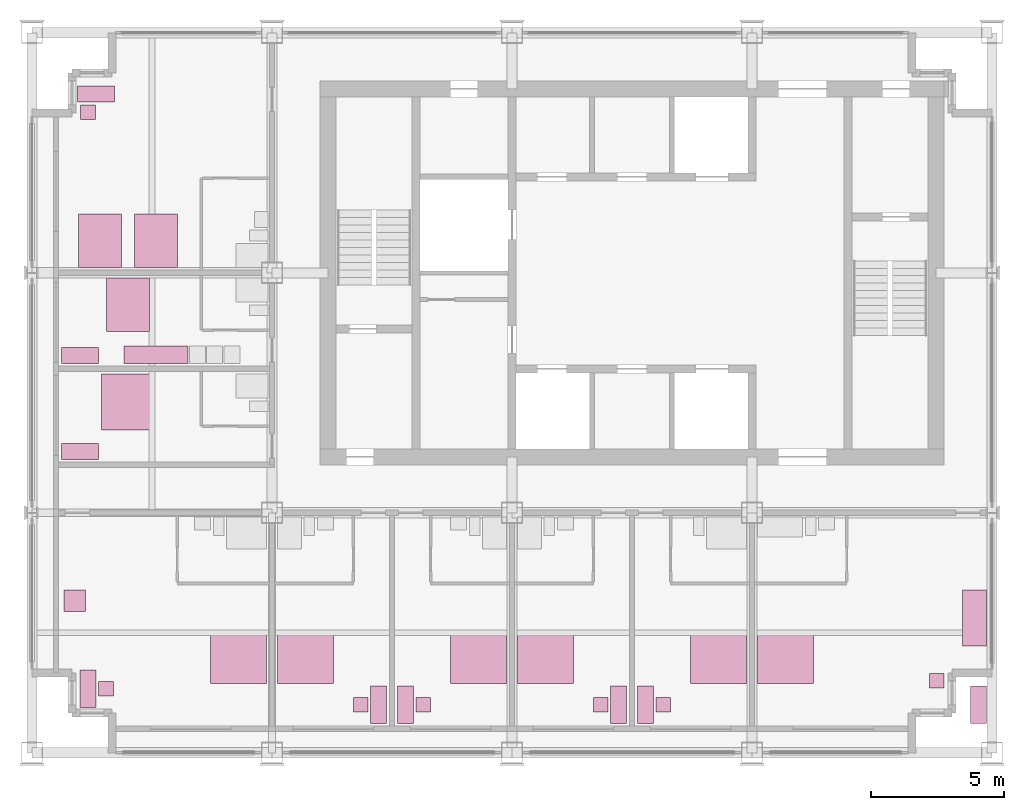
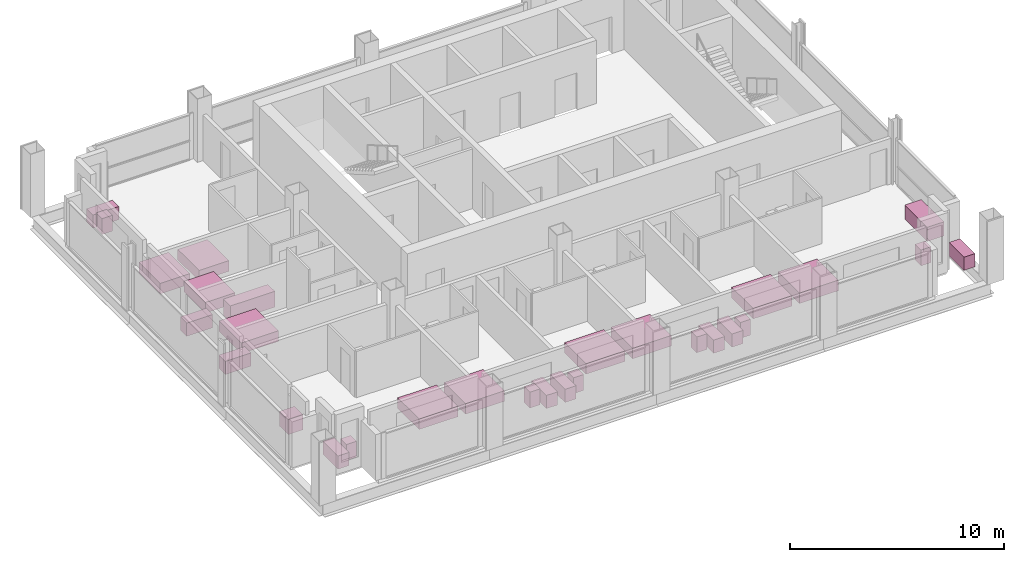
# One storey, part 12 of 12: 29 furniture elements.
"""IFC4 building model written with IfcOpenShell, lengths in metres."""

from ifc_helpers import new_model, si_unit, direction, frame, origin, origin_2d, place, context, subcontext, project, spatial, rectangle, extrude, element, save


model = new_model("IFC4")

# Units and contexts
model_context = context("Model", 3, precision=1e-05, world=origin(), true_north=direction((0.0, 1.0)))
body_context = subcontext(model_context, "Body", "Model", "MODEL_VIEW")
ifc_project = project(units=[si_unit("LENGTHUNIT", "METRE"), si_unit("AREAUNIT", "SQUARE_METRE"), si_unit("VOLUMEUNIT", "CUBIC_METRE"), si_unit("PLANEANGLEUNIT", "RADIAN"), si_unit("MASSUNIT", "GRAM", prefix="KILO")], contexts=[model_context])

# Site, building, storey
site_placement = place(None, origin())
site = spatial("IfcSite", under=ifc_project, at=site_placement, CompositionType="ELEMENT")
building_placement = place(site_placement, origin())
building = spatial("IfcBuilding", under=site, at=building_placement, Name="Loomwork Tower", CompositionType="ELEMENT")
storey_placement = place(building_placement, frame((0.0, 0.0, 259.0)))
storey = spatial("IfcBuildingStorey", under=building, at=storey_placement, Name="L71", CompositionType="ELEMENT", Elevation=259.0)

# Furniture
furniture_1_placement = place(storey_placement, frame((7.75, 3.60009765625, 0.0), z_axis=(0.0, 0.0, 1.0), x_axis=(1.0, 0.0, 0.0)))
element("IfcFurniture", 1, at=furniture_1_placement, inside=storey, Name="King bed L71", PredefinedType="BED", context=body_context, shape_type="SweptSolid", body=[
    extrude(rectangle(XDim=2.10009765625, YDim=2.0, at=origin_2d()), origin(), (0.0, 0.0, 1.0), 0.60009765625),
])
furniture_2_placement = place(storey_placement, frame((2.10009765625, 2.39990234375, 0.0), z_axis=(0.0, 0.0, 1.0), x_axis=(1.0, 0.0, 0.0)))
element("IfcFurniture", 2, at=furniture_2_placement, inside=storey, Name="Writing desk L71", PredefinedType="DESK", context=body_context, shape_type="SweptSolid", body=[
    extrude(rectangle(XDim=0.60009765625, YDim=1.39990234375, at=origin_2d()), origin(), (0.0, 0.0, 1.0), 0.75),
])
furniture_3_placement = place(storey_placement, frame((2.77490234375, 2.39990234375, 0.0), z_axis=(0.0, 0.0, 1.0), x_axis=(1.0, 0.0, 0.0)))
element("IfcFurniture", 3, at=furniture_3_placement, inside=storey, Name="Desk chair L71", PredefinedType="CHAIR", context=body_context, shape_type="SweptSolid", body=[
    extrude(rectangle(XDim=0.550048828125, YDim=0.550048828125, at=origin_2d()), origin(), (0.0, 0.0, 1.0), 0.89990234375),
])
furniture_4_placement = place(storey_placement, frame((1.60009765625, 5.699951171875, 0.0), z_axis=(0.0, 0.0, 1.0), x_axis=(1.0, 0.0, 0.0)))
element("IfcFurniture", 4, at=furniture_4_placement, inside=storey, Name="Lounge armchair L71", PredefinedType="CHAIR", context=body_context, shape_type="SweptSolid", body=[
    extrude(rectangle(XDim=0.800048828125, YDim=0.800048828125, at=origin_2d()), origin(), (0.0, 0.0, 1.0), 0.85009765625),
])
furniture_5_placement = place(storey_placement, frame((10.25, 3.60009765625, 0.0), z_axis=(0.0, 0.0, 1.0), x_axis=(1.0, 0.0, 0.0)))
element("IfcFurniture", 5, at=furniture_5_placement, inside=storey, Name="King bed L71", PredefinedType="BED", context=body_context, shape_type="SweptSolid", body=[
    extrude(rectangle(XDim=2.10009765625, YDim=2.0, at=origin_2d()), origin(), (0.0, 0.0, 1.0), 0.60009765625),
])
furniture_6_placement = place(storey_placement, frame((13.0, 1.800048828125, 0.0), z_axis=(0.0, 0.0, 1.0), x_axis=(1.0, 0.0, 0.0)))
element("IfcFurniture", 6, at=furniture_6_placement, inside=storey, Name="Writing desk L71", PredefinedType="DESK", context=body_context, shape_type="SweptSolid", body=[
    extrude(rectangle(XDim=0.60009765625, YDim=1.39990234375, at=origin_2d()), origin(), (0.0, 0.0, 1.0), 0.75),
])
furniture_7_placement = place(storey_placement, frame((12.324951171875, 1.800048828125, 0.0), z_axis=(0.0, 0.0, 1.0), x_axis=(1.0, 0.0, 0.0)))
element("IfcFurniture", 7, at=furniture_7_placement, inside=storey, Name="Desk chair L71", PredefinedType="CHAIR", context=body_context, shape_type="SweptSolid", body=[
    extrude(rectangle(XDim=0.550048828125, YDim=0.550048828125, at=origin_2d()), origin(), (0.0, 0.0, 1.0), 0.89990234375),
])
furniture_8_placement = place(storey_placement, frame((16.75, 3.60009765625, 0.0), z_axis=(0.0, 0.0, 1.0), x_axis=(1.0, 0.0, 0.0)))
element("IfcFurniture", 8, at=furniture_8_placement, inside=storey, Name="King bed L71", PredefinedType="BED", context=body_context, shape_type="SweptSolid", body=[
    extrude(rectangle(XDim=2.10009765625, YDim=2.0, at=origin_2d()), origin(), (0.0, 0.0, 1.0), 0.60009765625),
])
furniture_9_placement = place(storey_placement, frame((14.0, 1.800048828125, 0.0), z_axis=(0.0, 0.0, 1.0), x_axis=(1.0, 0.0, 0.0)))
element("IfcFurniture", 9, at=furniture_9_placement, inside=storey, Name="Writing desk L71", PredefinedType="DESK", context=body_context, shape_type="SweptSolid", body=[
    extrude(rectangle(XDim=0.60009765625, YDim=1.39990234375, at=origin_2d()), origin(), (0.0, 0.0, 1.0), 0.75),
])
furniture_10_placement = place(storey_placement, frame((14.675048828125, 1.800048828125, 0.0), z_axis=(0.0, 0.0, 1.0), x_axis=(1.0, 0.0, 0.0)))
element("IfcFurniture", 10, at=furniture_10_placement, inside=storey, Name="Desk chair L71", PredefinedType="CHAIR", context=body_context, shape_type="SweptSolid", body=[
    extrude(rectangle(XDim=0.550048828125, YDim=0.550048828125, at=origin_2d()), origin(), (0.0, 0.0, 1.0), 0.89990234375),
])
furniture_11_placement = place(storey_placement, frame((19.25, 3.60009765625, 0.0), z_axis=(0.0, 0.0, 1.0), x_axis=(1.0, 0.0, 0.0)))
element("IfcFurniture", 11, at=furniture_11_placement, inside=storey, Name="King bed L71", PredefinedType="BED", context=body_context, shape_type="SweptSolid", body=[
    extrude(rectangle(XDim=2.10009765625, YDim=2.0, at=origin_2d()), origin(), (0.0, 0.0, 1.0), 0.60009765625),
])
furniture_12_placement = place(storey_placement, frame((22.0, 1.800048828125, 0.0), z_axis=(0.0, 0.0, 1.0), x_axis=(1.0, 0.0, 0.0)))
element("IfcFurniture", 12, at=furniture_12_placement, inside=storey, Name="Writing desk L71", PredefinedType="DESK", context=body_context, shape_type="SweptSolid", body=[
    extrude(rectangle(XDim=0.60009765625, YDim=1.39990234375, at=origin_2d()), origin(), (0.0, 0.0, 1.0), 0.75),
])
furniture_13_placement = place(storey_placement, frame((21.324951171875, 1.800048828125, 0.0), z_axis=(0.0, 0.0, 1.0), x_axis=(1.0, 0.0, 0.0)))
element("IfcFurniture", 13, at=furniture_13_placement, inside=storey, Name="Desk chair L71", PredefinedType="CHAIR", context=body_context, shape_type="SweptSolid", body=[
    extrude(rectangle(XDim=0.550048828125, YDim=0.550048828125, at=origin_2d()), origin(), (0.0, 0.0, 1.0), 0.89990234375),
])
furniture_14_placement = place(storey_placement, frame((25.75, 3.60009765625, 0.0), z_axis=(0.0, 0.0, 1.0), x_axis=(1.0, 0.0, 0.0)))
element("IfcFurniture", 14, at=furniture_14_placement, inside=storey, Name="King bed L71", PredefinedType="BED", context=body_context, shape_type="SweptSolid", body=[
    extrude(rectangle(XDim=2.10009765625, YDim=2.0, at=origin_2d()), origin(), (0.0, 0.0, 1.0), 0.60009765625),
])
furniture_15_placement = place(storey_placement, frame((23.0, 1.800048828125, 0.0), z_axis=(0.0, 0.0, 1.0), x_axis=(1.0, 0.0, 0.0)))
element("IfcFurniture", 15, at=furniture_15_placement, inside=storey, Name="Writing desk L71", PredefinedType="DESK", context=body_context, shape_type="SweptSolid", body=[
    extrude(rectangle(XDim=0.60009765625, YDim=1.39990234375, at=origin_2d()), origin(), (0.0, 0.0, 1.0), 0.75),
])
furniture_16_placement = place(storey_placement, frame((23.675048828125, 1.800048828125, 0.0), z_axis=(0.0, 0.0, 1.0), x_axis=(1.0, 0.0, 0.0)))
element("IfcFurniture", 16, at=furniture_16_placement, inside=storey, Name="Desk chair L71", PredefinedType="CHAIR", context=body_context, shape_type="SweptSolid", body=[
    extrude(rectangle(XDim=0.550048828125, YDim=0.550048828125, at=origin_2d()), origin(), (0.0, 0.0, 1.0), 0.89990234375),
])
furniture_17_placement = place(storey_placement, frame((28.25, 3.60009765625, 0.0), z_axis=(0.0, 0.0, 1.0), x_axis=(1.0, 0.0, 0.0)))
element("IfcFurniture", 17, at=furniture_17_placement, inside=storey, Name="King bed L71", PredefinedType="BED", context=body_context, shape_type="SweptSolid", body=[
    extrude(rectangle(XDim=2.10009765625, YDim=2.0, at=origin_2d()), origin(), (0.0, 0.0, 1.0), 0.60009765625),
])
furniture_18_placement = place(storey_placement, frame((35.5, 1.800048828125, 0.0), z_axis=(0.0, 0.0, 1.0), x_axis=(1.0, 0.0, 0.0)))
element("IfcFurniture", 18, at=furniture_18_placement, inside=storey, Name="Writing desk L71", PredefinedType="DESK", context=body_context, shape_type="SweptSolid", body=[
    extrude(rectangle(XDim=0.60009765625, YDim=1.39990234375, at=origin_2d()), origin(), (0.0, 0.0, 1.0), 0.75),
])
furniture_19_placement = place(storey_placement, frame((33.925048828125, 2.699951171875, 0.0), z_axis=(0.0, 0.0, 1.0), x_axis=(1.0, 0.0, 0.0)))
element("IfcFurniture", 19, at=furniture_19_placement, inside=storey, Name="Desk chair L71", PredefinedType="CHAIR", context=body_context, shape_type="SweptSolid", body=[
    extrude(rectangle(XDim=0.550048828125, YDim=0.550048828125, at=origin_2d()), origin(), (0.0, 0.0, 1.0), 0.89990234375),
])
furniture_20_placement = place(storey_placement, frame((35.35009765625, 5.050048828125, 0.0), z_axis=(0.0, 0.0, 1.0), x_axis=(1.0, 0.0, 0.0)))
element("IfcFurniture", 20, at=furniture_20_placement, inside=storey, Name="Sofa L71", PredefinedType="SOFA", context=body_context, shape_type="SweptSolid", body=[
    extrude(rectangle(XDim=0.89990234375, YDim=2.10009765625, at=origin_2d()), origin(), (0.0, 0.0, 1.0), 0.800048828125),
])
furniture_21_placement = place(storey_placement, frame((3.60009765625, 13.14990234375, 0.0), z_axis=(0.0, 0.0, 1.0), x_axis=(1.0, 0.0, 0.0)))
element("IfcFurniture", 21, at=furniture_21_placement, inside=storey, Name="King bed L71", PredefinedType="BED", context=body_context, shape_type="SweptSolid", body=[
    extrude(rectangle(XDim=2.0, YDim=2.10009765625, at=origin_2d()), origin(), (0.0, 0.0, 1.0), 0.60009765625),
])
furniture_22_placement = place(storey_placement, frame((1.800048828125, 11.300048828125, 0.0), z_axis=(0.0, 0.0, 1.0), x_axis=(1.0, 0.0, 0.0)))
element("IfcFurniture", 22, at=furniture_22_placement, inside=storey, Name="Writing desk L71", PredefinedType="DESK", context=body_context, shape_type="SweptSolid", body=[
    extrude(rectangle(XDim=1.39990234375, YDim=0.60009765625, at=origin_2d()), origin(), (0.0, 0.0, 1.0), 0.75),
])
furniture_23_placement = place(storey_placement, frame((3.60009765625, 16.800048828125, 0.0), z_axis=(0.0, 0.0, 1.0), x_axis=(1.0, 0.0, 0.0)))
element("IfcFurniture", 23, at=furniture_23_placement, inside=storey, Name="Queen bed L71", PredefinedType="BED", context=body_context, shape_type="SweptSolid", body=[
    extrude(rectangle(XDim=1.60009765625, YDim=2.0, at=origin_2d()), origin(), (0.0, 0.0, 1.0), 0.60009765625),
])
furniture_24_placement = place(storey_placement, frame((1.800048828125, 14.89990234375, 0.0), z_axis=(0.0, 0.0, 1.0), x_axis=(1.0, 0.0, 0.0)))
element("IfcFurniture", 24, at=furniture_24_placement, inside=storey, Name="Writing desk L71", PredefinedType="DESK", context=body_context, shape_type="SweptSolid", body=[
    extrude(rectangle(XDim=1.39990234375, YDim=0.60009765625, at=origin_2d()), origin(), (0.0, 0.0, 1.0), 0.75),
])
furniture_25_placement = place(storey_placement, frame((4.64990234375, 14.925048828125, 0.0), z_axis=(0.0, 0.0, 1.0), x_axis=(1.0, 0.0, 0.0)))
element("IfcFurniture", 25, at=furniture_25_placement, inside=storey, Name="Kitchenette counter L71", ObjectType="KITCHENETTE", PredefinedType="USERDEFINED", context=body_context, shape_type="SweptSolid", body=[
    extrude(rectangle(XDim=2.39990234375, YDim=0.64990234375, at=origin_2d()), origin(), (0.0, 0.0, 1.0), 0.89990234375),
])
for number, where, z_axis, x_axis, name in (
    (26, (4.64990234375, 19.199951171875, 0.0), (0.0, 0.0, 1.0), (1.0, 0.0, 0.0), "Queen bed L71"),
    (27, (2.550048828125, 19.199951171875, 0.0), (0.0, 0.0, 1.0), (1.0, 0.0, 0.0), "Queen bed L71"),
):
    element("IfcFurniture", number, at=place(storey_placement, frame(where, z_axis=z_axis, x_axis=x_axis)), inside=storey, Name=name, PredefinedType="BED", context=body_context, shape_type="SweptSolid", body=[
        extrude(rectangle(XDim=1.60009765625, YDim=2.0, at=origin_2d()), origin(), (0.0, 0.0, 1.0), 0.60009765625),
    ])
furniture_26_placement = place(storey_placement, frame((2.39990234375, 24.699951171875, 0.0), z_axis=(0.0, 0.0, 1.0), x_axis=(1.0, 0.0, 0.0)))
element("IfcFurniture", 28, at=furniture_26_placement, inside=storey, Name="Writing desk L71", PredefinedType="DESK", context=body_context, shape_type="SweptSolid", body=[
    extrude(rectangle(XDim=1.39990234375, YDim=0.60009765625, at=origin_2d()), origin(), (0.0, 0.0, 1.0), 0.75),
])
furniture_27_placement = place(storey_placement, frame((2.10009765625, 24.02490234375, 0.0), z_axis=(0.0, 0.0, 1.0), x_axis=(1.0, 0.0, 0.0)))
element("IfcFurniture", 29, at=furniture_27_placement, inside=storey, Name="Desk chair L71", PredefinedType="CHAIR", context=body_context, shape_type="SweptSolid", body=[
    extrude(rectangle(XDim=0.550048828125, YDim=0.550048828125, at=origin_2d()), origin(), (0.0, 0.0, 1.0), 0.89990234375),
])

save(model, "model.ifc")
